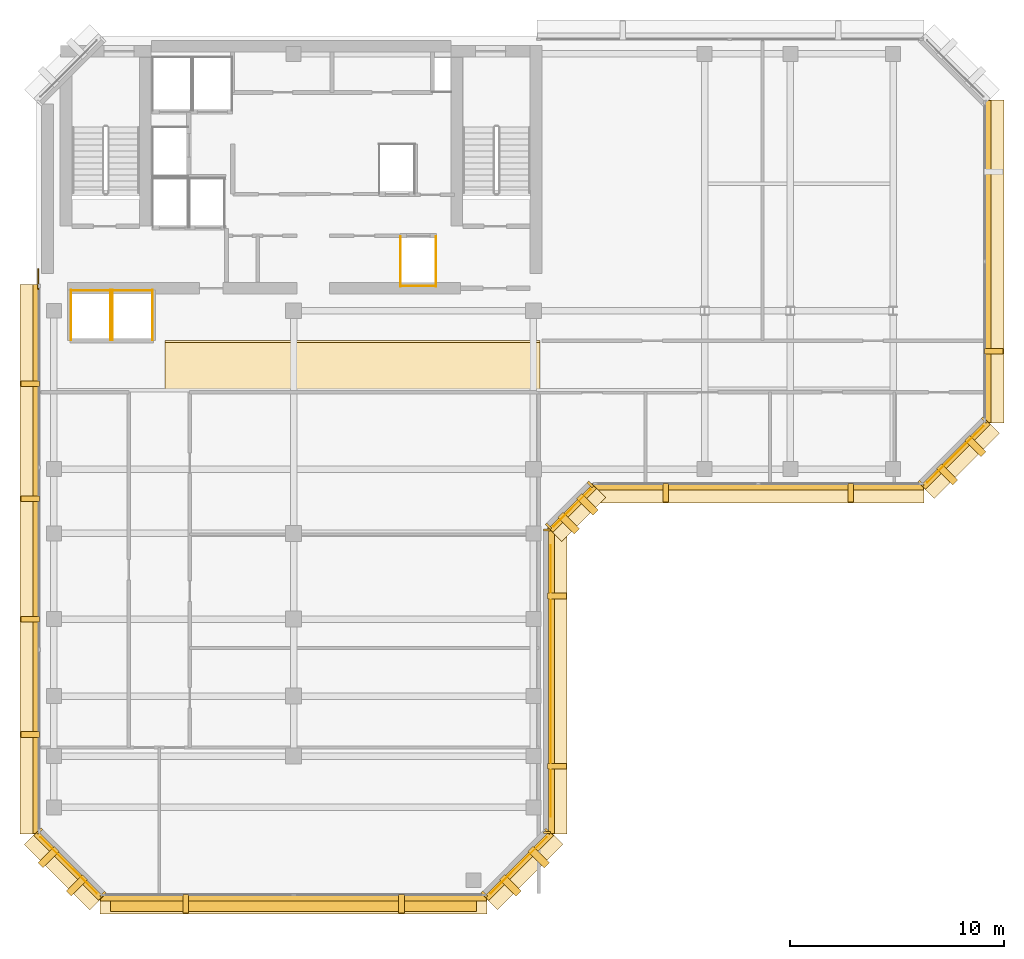
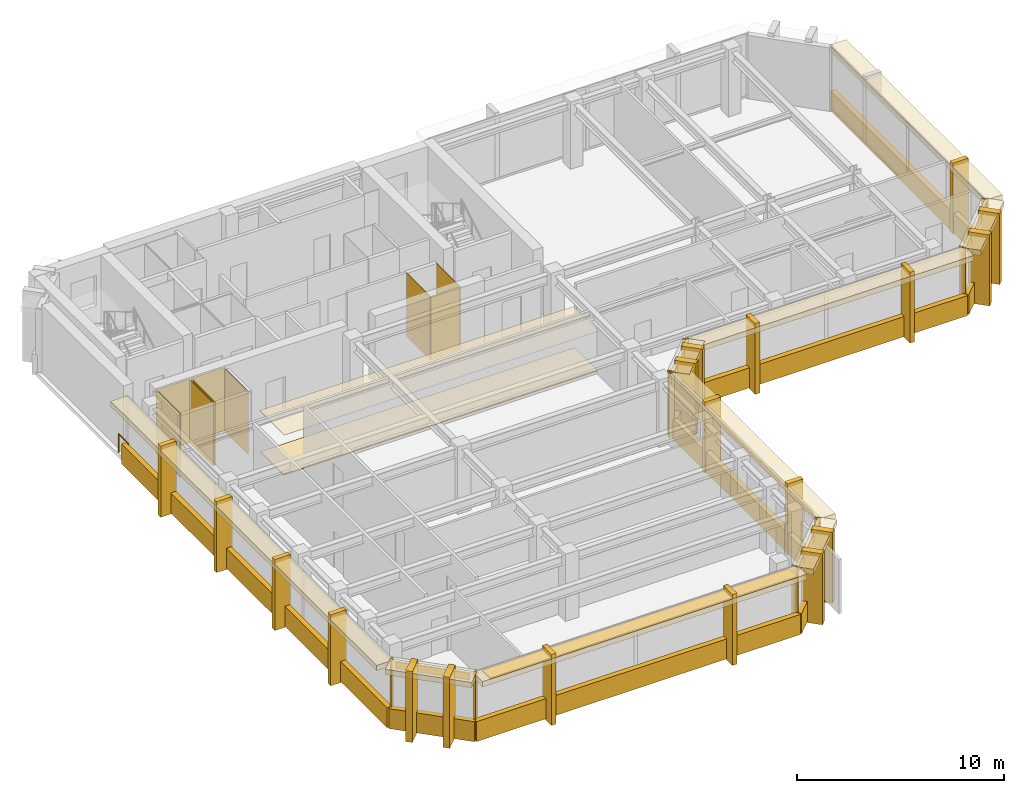
# One storey, part 9 of 11: 63 coverings, 1 railing, 1 shading device.
"""IFC4 building model written with IfcOpenShell, lengths in metres."""

import ifcopenshell
import ifcopenshell.guid

model = None  # the IFC model being written
_history = None  # IfcOwnerHistory: only IFC2X3 demands one
_inside = {}  # id of a spatial element -> (the spatial element, [elements in it])
_under = {}  # id of a project, library or spatial element -> (it, [spatial elements below it])
_declared = {}  # id of a project -> (the project, [libraries it declares])
_typed = {}  # id of a type object -> (the type object, [elements of that type])
_made_of = {}  # id of a material, layer set ... -> (it, [elements and type objects made of it])


def new_model(schema):
    """Start an empty IFC model of exactly this schema.

    Asked for "IFC4X3", IfcOpenShell would pick the latest addendum, in which some entities
    have other attributes; the version numbers below select the first issue.
    IFC2X3 requires an IfcOwnerHistory on every rooted entity: one is made here for all.
    """
    global model, _history
    if schema == "IFC4X3":
        model = ifcopenshell.file(schema_version=(4, 3, 0, 0))
    else:
        model = ifcopenshell.file(schema=schema)
    _inside.clear()
    _under.clear()
    _declared.clear()
    _typed.clear()
    _made_of.clear()
    _history = None
    if model.schema == "IFC2X3":
        org = make("IfcOrganization", Name="unknown")
        user = make(
            "IfcPersonAndOrganization",
            ThePerson=make("IfcPerson", FamilyName="unknown"),
            TheOrganization=org,
        )
        app = make(
            "IfcApplication",
            ApplicationDeveloper=org,
            Version="unknown",
            ApplicationFullName="unknown",
            ApplicationIdentifier="unknown",
        )
        _history = make(
            "IfcOwnerHistory",
            OwningUser=user,
            OwningApplication=app,
            ChangeAction="ADDED",
            CreationDate=0,
        )
    return model


def make(cls, **values):
    """One entity of the class cls with the attributes given. An attribute that is None is left unset."""
    return model.create_entity(
        cls, **{name: value for name, value in values.items() if value is not None}
    )


def rooted(cls, **values):
    """An entity with a GlobalId (a new one), such as an element, a storey or a relation."""
    return make(cls, GlobalId=ifcopenshell.guid.new(), OwnerHistory=_history, **values)


def si_unit(unit_type, name, prefix=None):
    """IfcSIUnit, for example si_unit("LENGTHUNIT", "METRE", prefix="MILLI")."""
    return make("IfcSIUnit", UnitType=unit_type, Prefix=prefix, Name=name)


def assignment(units):
    """IfcUnitAssignment: the units of a project."""
    return None if units is None else make("IfcUnitAssignment", Units=units)


def point(xyz):
    """IfcCartesianPoint."""
    return None if xyz is None else make("IfcCartesianPoint", Coordinates=xyz)


def direction(xyz):
    """IfcDirection."""
    return None if xyz is None else make("IfcDirection", DirectionRatios=xyz)


def frame(location, z_axis=None, x_axis=None):
    """IfcAxis2Placement3D, a coordinate frame: its origin and axes. An axis left out is left unset."""
    return make(
        "IfcAxis2Placement3D",
        Location=point(location),
        Axis=direction(z_axis),
        RefDirection=direction(x_axis),
    )


def frame_2d(location, x_axis=None):
    """IfcAxis2Placement2D, a coordinate frame in the plane: its origin and x axis."""
    return make(
        "IfcAxis2Placement2D", Location=point(location), RefDirection=direction(x_axis)
    )


def origin():
    """The frame at (0, 0, 0) with its axes left unset."""
    return frame((0.0, 0.0, 0.0))


def origin_2d():
    """The frame at (0, 0) in the plane with its x axis left unset."""
    return frame_2d((0.0, 0.0))


def place(relative_to, where):
    """IfcLocalPlacement: puts the frame where relative to a parent placement (None: the world)."""
    return make(
        "IfcLocalPlacement", PlacementRelTo=relative_to, RelativePlacement=where
    )


def context(
    kind, dimensions, precision=None, world=None, true_north=None, identifier=None
):
    """IfcGeometricRepresentationContext, for example the 3D "Model" context."""
    return make(
        "IfcGeometricRepresentationContext",
        ContextIdentifier=identifier,
        ContextType=kind,
        CoordinateSpaceDimension=dimensions,
        Precision=precision,
        WorldCoordinateSystem=world,
        TrueNorth=true_north,
    )


def subcontext(parent, identifier, kind, view, scale=None):
    """IfcGeometricRepresentationSubContext, for example "Body" below "Model"."""
    return make(
        "IfcGeometricRepresentationSubContext",
        ContextIdentifier=identifier,
        ContextType=kind,
        ParentContext=parent,
        TargetScale=scale,
        TargetView=view,
    )


def project(units=None, contexts=None):
    """IfcProject with its units and contexts."""
    return rooted(
        "IfcProject",
        Name="project",
        RepresentationContexts=contexts,
        UnitsInContext=assignment(units),
    )


def spatial(cls, under=None, at=None, **own):
    """A site, building, storey or space (cls), placed at a placement, below another one or the project."""
    s = rooted(cls, ObjectPlacement=at, **own)
    if under is not None:
        _under.setdefault(under.id(), (under, []))[1].append(s)
    return s


def polyline(points):
    """IfcPolyline through the points."""
    return make("IfcPolyline", Points=[point(p) for p in points])


def profile(cls, at=None, kind="AREA", **sizes):
    """A parametric profile (cls). Its sizes go by their IFC names, for example OverallWidth=200.0."""
    return make(cls, ProfileType=kind, Position=at, **sizes)


def rectangle(**sizes):
    """IfcRectangleProfileDef."""
    return profile("IfcRectangleProfileDef", **sizes)


def circle(**sizes):
    """IfcCircleProfileDef."""
    return profile("IfcCircleProfileDef", **sizes)


def outline(outer, holes=None, kind="AREA"):
    """IfcArbitraryClosedProfileDef: a profile drawn as a closed curve; with holes, ...WithVoids."""
    if holes is None:
        return make("IfcArbitraryClosedProfileDef", ProfileType=kind, OuterCurve=outer)
    return make(
        "IfcArbitraryProfileDefWithVoids",
        ProfileType=kind,
        OuterCurve=outer,
        InnerCurves=holes,
    )


def extrude(swept, where, along, depth):
    """IfcExtrudedAreaSolid: the profile swept, set in the frame where, extruded along a direction by depth."""
    return make(
        "IfcExtrudedAreaSolid",
        SweptArea=swept,
        Position=where,
        ExtrudedDirection=direction(along),
        Depth=depth,
    )


def shape(context_of_items, identifier, shape_type, items):
    """IfcShapeRepresentation: the items that make up one representation, for example the "Body"."""
    return make(
        "IfcShapeRepresentation",
        ContextOfItems=context_of_items,
        RepresentationIdentifier=identifier,
        RepresentationType=shape_type,
        Items=items,
    )


def material(Name=None, Category=None):
    """IfcMaterial."""
    return make("IfcMaterial", Name=Name, Category=Category)


def layer(
    of_material, thickness, ventilated=None, Name=None, Category=None, Priority=None
):
    """IfcMaterialLayer: one layer of a wall or slab, of a material (None: an air gap)."""
    return make(
        "IfcMaterialLayer",
        Material=of_material,
        LayerThickness=thickness,
        IsVentilated=ventilated,
        Name=Name,
        Category=Category,
        Priority=Priority,
    )


def layer_set(layers, Name=None):
    """IfcMaterialLayerSet."""
    return make("IfcMaterialLayerSet", MaterialLayers=layers, LayerSetName=Name)


def made_of(thing, what):
    """Note that an element or type object is made of a material, layer set ...; save() writes the relation."""
    if what is not None:
        _made_of.setdefault(what.id(), (what, []))[1].append(thing)
    return thing


def type_object(cls, material=None, **own):
    """A type object (cls), such as IfcWallType, which elements share."""
    return made_of(rooted(cls, **own), material)


def element(
    cls,
    number,
    at=None,
    inside=None,
    cuts=None,
    type_object=None,
    material=None,
    context=None,
    identifier="Body",
    shape_type=None,
    held_by="IfcProductDefinitionShape",
    body=None,
    shapes=None,
    **own,
):
    """One element of the class cls, such as IfcWall. Its Tag is "e" and its number.

    at: its placement. inside: the storey or other place that contains it. cuts: it is an
    opening in that element (IfcRelVoidsElement). A single representation is given by context,
    identifier, shape_type and body (its items); several are given by shapes. held_by: the class
    of the entity that holds the representations. save() writes the other relations.
    """
    e = rooted(cls, Tag="e%d" % number, ObjectPlacement=at, **own)
    if body is not None:
        shapes = [shape(context, identifier, shape_type, body)]
    if shapes is not None:
        e.Representation = make(held_by, Representations=shapes)
    if inside is not None:
        _inside.setdefault(inside.id(), (inside, []))[1].append(e)
    if cuts is not None:
        rooted(
            "IfcRelVoidsElement", RelatingBuildingElement=cuts, RelatedOpeningElement=e
        )
    if type_object is not None:
        _typed.setdefault(type_object.id(), (type_object, []))[1].append(e)
    return made_of(e, material)


def aggregate(whole, parts):
    """IfcRelAggregates: a whole, such as a stair, and the parts it consists of."""
    return rooted("IfcRelAggregates", RelatingObject=whole, RelatedObjects=parts)


def save(model, path):
    """Write the relations noted so far, then the file.

    IfcRelAggregates (storeys below a building ...), IfcRelContainedInSpatialStructure (elements
    in a storey), IfcRelDefinesByType, IfcRelAssociatesMaterial and IfcRelDeclares: one each for
    every whole, place, type object, material and project.
    """
    for whole, parts in _under.values():
        aggregate(whole, parts)
    for where, things in _inside.values():
        rooted(
            "IfcRelContainedInSpatialStructure",
            RelatedElements=things,
            RelatingStructure=where,
        )
    for kind, things in _typed.values():
        rooted("IfcRelDefinesByType", RelatedObjects=things, RelatingType=kind)
    for what, things in _made_of.values():
        rooted("IfcRelAssociatesMaterial", RelatedObjects=things, RelatingMaterial=what)
    for by, libraries in _declared.values():
        rooted("IfcRelDeclares", RelatingContext=by, RelatedDefinitions=libraries)
    model.write(path)


model = new_model("IFC4")

# Units and contexts
model_context = context("Model", 3, precision=1e-05, world=origin(), true_north=direction((0.0, 1.0)))
body_context = subcontext(model_context, "Body", "Model", "MODEL_VIEW")
ifc_project = project(units=[si_unit("LENGTHUNIT", "METRE"), si_unit("AREAUNIT", "SQUARE_METRE"), si_unit("VOLUMEUNIT", "CUBIC_METRE"), si_unit("PLANEANGLEUNIT", "RADIAN"), si_unit("MASSUNIT", "GRAM", prefix="KILO")], contexts=[model_context])

# Site, building, storey
site_placement = place(None, origin())
site = spatial("IfcSite", under=ifc_project, at=site_placement, CompositionType="ELEMENT")
building_placement = place(site_placement, origin())
building = spatial("IfcBuilding", under=site, at=building_placement, Name="Kefirva Bronze Tower", CompositionType="ELEMENT")
storey_placement = place(building_placement, frame((0.0, 0.0, 284.1298828125)))
storey = spatial("IfcBuildingStorey", under=building, at=storey_placement, Name="L69", CompositionType="ELEMENT", Elevation=284.1298828125)

# Coverings
ifc_material_1 = material(Name="Acoustic mineral tile")
ifc_layer_1 = layer(ifc_material_1, 0.02490234375, Name="Acoustic mineral tile")
ifc_layer_set_1 = layer_set([ifc_layer_1], Name="Acoustic mineral tile")
covering_type_1 = type_object("IfcCoveringType", Name="Acoustic Mineral Suspended Ceiling 25mm", PredefinedType="CEILING", material=ifc_layer_set_1)
covering_1_placement = place(storey_placement, frame((0.0, 0.0, 2.400146484375)))
element("IfcCovering", 1, at=covering_1_placement, inside=storey, type_object=covering_type_1, Name="L69 Corridor Acoustic Ceiling", PredefinedType="CEILING", context=body_context, shape_type="SweptSolid", body=[
    extrude(outline(polyline([(6.0, 29.39990234375), (23.5, 29.39990234375), (23.5, 31.800048828125), (6.0, 31.800048828125), (6.0, 29.39990234375)])), origin(), (0.0, 0.0, 1.0), 0.02490234375),
])
ifc_material_2 = material(Name="Bronze anodised aluminium", Category="aluminium")
ifc_layer_2 = layer(ifc_material_2, 0.02001953125, Name="Bronze anodised aluminium")
ifc_layer_set_2 = layer_set([ifc_layer_2], Name="Bronze anodised aluminium")
covering_type_2 = type_object("IfcCoveringType", Name="Anodised Bronze Spandrel Cladding 20mm", PredefinedType="CLADDING", material=ifc_layer_set_2)
covering_2_placement = place(storey_placement, frame((12.0, 5.760009765625, -0.15966796875), z_axis=(0.0, 0.0, 1.0), x_axis=(1.0, 0.0, 0.0)))
element("IfcCovering", 2, at=covering_2_placement, inside=storey, type_object=covering_type_2, Name="L69 Streamline Horizontal Spandrel Band 0", PredefinedType="CLADDING", context=body_context, shape_type="SweptSolid", body=[
    extrude(rectangle(XDim=18.0400390625, YDim=0.280029296875, at=origin_2d()), origin(), (0.0, 0.0, 1.0), 1.179931640625),
])
covering_3_placement = place(storey_placement, frame((22.507080078125, 7.29296875, 3.320068359375), z_axis=(0.0, 0.0, 1.0), x_axis=(0.707106781187, 0.707106781187, 0.0)))
element("IfcCovering", 3, at=covering_3_placement, inside=storey, type_object=covering_type_2, Name="L69 Bronze Spandrel Cladding 1", PredefinedType="CLADDING", context=body_context, shape_type="SweptSolid", body=[
    extrude(rectangle(XDim=3.719482421875, YDim=0.02001953125, at=origin_2d()), origin(), (0.0, 0.0, 1.0), 0.39990234375),
])
for number, where, z_axis, x_axis, name in (
    (4, (20.91162109375, 5.93798828125, 0.0), (0.0, 0.0, 1.0), (0.707106781187, 0.707106781187, 0.0), "L69 Facade Joint Closure Panel 1S"),
    (5, (23.862060546875, 8.88818359375, 0.0), (0.0, 0.0, 1.0), (0.707106781187, 0.707106781187, 0.0), "L69 Facade Joint Closure Panel 1E"),
):
    element("IfcCovering", number, at=place(storey_placement, frame(where, z_axis=z_axis, x_axis=x_axis)), inside=storey, type_object=covering_type_2, Name=name, PredefinedType="CLADDING", context=body_context, shape_type="SweptSolid", body=[
        extrude(rectangle(XDim=0.10009765625, YDim=0.320068359375, at=origin_2d()), origin(), (0.0, 0.0, 1.0), 3.739990234375),
    ])
covering_4_placement = place(storey_placement, frame((22.5283203125, 7.271728515625, -0.15966796875), z_axis=(0.0, 0.0, 1.0), x_axis=(0.707106781187, 0.707106781187, 0.0)))
element("IfcCovering", 6, at=covering_4_placement, inside=storey, type_object=covering_type_2, Name="L69 Streamline Horizontal Spandrel Band 1", PredefinedType="CLADDING", context=body_context, shape_type="SweptSolid", body=[
    extrude(rectangle(XDim=4.28271484375, YDim=0.280029296875, at=origin_2d()), origin(), (0.0, 0.0, 1.0), 1.179931640625),
])
covering_5_placement = place(storey_placement, frame((24.010009765625, 15.89990234375, 3.320068359375), z_axis=(0.0, 0.0, 1.0), x_axis=(0.0, 1.0, 0.0)))
element("IfcCovering", 7, at=covering_5_placement, inside=storey, type_object=covering_type_2, Name="L69 Bronze Spandrel Cladding 2", PredefinedType="CLADDING", context=body_context, shape_type="SweptSolid", body=[
    extrude(rectangle(XDim=12.680908203125, YDim=0.02001953125, at=origin_2d()), origin(), (0.0, 0.0, 1.0), 0.39990234375),
])
for number, where, z_axis, x_axis, name in (
    (8, (23.840087890625, 8.8349609375, 0.0), (0.0, 0.0, 1.0), (0.0, 1.0, 0.0), "L69 Facade Joint Closure Panel 2S"),
    (9, (23.840087890625, 22.965087890625, 0.0), (0.0, 0.0, 1.0), (0.0, 1.0, 0.0), "L69 Facade Joint Closure Panel 2E"),
):
    element("IfcCovering", number, at=place(storey_placement, frame(where, z_axis=z_axis, x_axis=x_axis)), inside=storey, type_object=covering_type_2, Name=name, PredefinedType="CLADDING", context=body_context, shape_type="SweptSolid", body=[
        extrude(rectangle(XDim=0.10009765625, YDim=0.320068359375, at=origin_2d()), origin(), (0.0, 0.0, 1.0), 3.739990234375),
    ])
covering_6_placement = place(storey_placement, frame((24.0400390625, 15.89990234375, -0.15966796875), z_axis=(0.0, 0.0, 1.0), x_axis=(0.0, 1.0, 0.0)))
element("IfcCovering", 10, at=covering_6_placement, inside=storey, type_object=covering_type_2, Name="L69 Streamline Horizontal Spandrel Band 2", PredefinedType="CLADDING", context=body_context, shape_type="SweptSolid", body=[
    extrude(rectangle(XDim=14.239990234375, YDim=0.280029296875, at=origin_2d()), origin(), (0.0, 0.0, 1.0), 1.179931640625),
])
covering_7_placement = place(storey_placement, frame((25.007080078125, 23.992919921875, 3.320068359375), z_axis=(0.0, 0.0, 1.0), x_axis=(0.707106781187, 0.707106781187, 0.0)))
element("IfcCovering", 11, at=covering_7_placement, inside=storey, type_object=covering_type_2, Name="L69 Bronze Spandrel Cladding 3", PredefinedType="CLADDING", context=body_context, shape_type="SweptSolid", body=[
    extrude(rectangle(XDim=2.446533203125, YDim=0.02001953125, at=origin_2d()), origin(), (0.0, 0.0, 1.0), 0.39990234375),
])
for number, where, z_axis, x_axis, name in (
    (12, (23.91162109375, 23.137939453125, 0.0), (0.0, 0.0, 1.0), (0.707106781187, 0.707106781187, 0.0), "L69 Facade Joint Closure Panel 3S"),
    (13, (25.862060546875, 25.08837890625, 0.0), (0.0, 0.0, 1.0), (0.707106781187, 0.707106781187, 0.0), "L69 Facade Joint Closure Panel 3E"),
):
    element("IfcCovering", number, at=place(storey_placement, frame(where, z_axis=z_axis, x_axis=x_axis)), inside=storey, type_object=covering_type_2, Name=name, PredefinedType="CLADDING", context=body_context, shape_type="SweptSolid", body=[
        extrude(rectangle(XDim=0.10009765625, YDim=0.320068359375, at=origin_2d()), origin(), (0.0, 0.0, 1.0), 3.739990234375),
    ])
covering_8_placement = place(storey_placement, frame((25.0283203125, 23.9716796875, -0.15966796875), z_axis=(0.0, 0.0, 1.0), x_axis=(0.707106781187, 0.707106781187, 0.0)))
element("IfcCovering", 14, at=covering_8_placement, inside=storey, type_object=covering_type_2, Name="L69 Streamline Horizontal Spandrel Band 3", PredefinedType="CLADDING", context=body_context, shape_type="SweptSolid", body=[
    extrude(rectangle(XDim=2.868408203125, YDim=0.280029296875, at=origin_2d()), origin(), (0.0, 0.0, 1.0), 1.179931640625),
])
covering_9_placement = place(storey_placement, frame((33.699951171875, 24.9599609375, -0.15966796875), z_axis=(0.0, 0.0, 1.0), x_axis=(1.0, 0.0, 0.0)))
element("IfcCovering", 15, at=covering_9_placement, inside=storey, type_object=covering_type_2, Name="L69 Streamline Horizontal Spandrel Band 4", PredefinedType="CLADDING", context=body_context, shape_type="SweptSolid", body=[
    extrude(rectangle(XDim=15.43994140625, YDim=0.280029296875, at=origin_2d()), origin(), (0.0, 0.0, 1.0), 1.179931640625),
])
covering_10_placement = place(storey_placement, frame((42.906982421875, 26.492919921875, 3.320068359375), z_axis=(0.0, 0.0, 1.0), x_axis=(0.707106781187, 0.707106781187, 0.0)))
element("IfcCovering", 16, at=covering_10_placement, inside=storey, type_object=covering_type_2, Name="L69 Bronze Spandrel Cladding 4", PredefinedType="CLADDING", context=body_context, shape_type="SweptSolid", body=[
    extrude(rectangle(XDim=3.719482421875, YDim=0.02001953125, at=origin_2d()), origin(), (0.0, 0.0, 1.0), 0.39990234375),
])
for number, where, z_axis, x_axis, name in (
    (17, (41.311767578125, 25.137939453125, 0.0), (0.0, 0.0, 1.0), (0.707106781187, 0.707106781187, 0.0), "L69 Facade Joint Closure Panel 4S"),
    (18, (44.26220703125, 28.08837890625, 0.0), (0.0, 0.0, 1.0), (0.707106781187, 0.707106781187, 0.0), "L69 Facade Joint Closure Panel 4E"),
):
    element("IfcCovering", number, at=place(storey_placement, frame(where, z_axis=z_axis, x_axis=x_axis)), inside=storey, type_object=covering_type_2, Name=name, PredefinedType="CLADDING", context=body_context, shape_type="SweptSolid", body=[
        extrude(rectangle(XDim=0.10009765625, YDim=0.320068359375, at=origin_2d()), origin(), (0.0, 0.0, 1.0), 3.739990234375),
    ])
covering_11_placement = place(storey_placement, frame((42.92822265625, 26.4716796875, -0.15966796875), z_axis=(0.0, 0.0, 1.0), x_axis=(0.707106781187, 0.707106781187, 0.0)))
element("IfcCovering", 19, at=covering_11_placement, inside=storey, type_object=covering_type_2, Name="L69 Streamline Horizontal Spandrel Band 5", PredefinedType="CLADDING", context=body_context, shape_type="SweptSolid", body=[
    extrude(rectangle(XDim=4.28271484375, YDim=0.280029296875, at=origin_2d()), origin(), (0.0, 0.0, 1.0), 1.179931640625),
])
covering_12_placement = place(storey_placement, frame((44.43994140625, 35.5, -0.15966796875), z_axis=(0.0, 0.0, 1.0), x_axis=(0.0, 1.0, 0.0)))
element("IfcCovering", 20, at=covering_12_placement, inside=storey, type_object=covering_type_2, Name="L69 Streamline Horizontal Spandrel Band 6", PredefinedType="CLADDING", context=body_context, shape_type="SweptSolid", body=[
    extrude(rectangle(XDim=15.0400390625, YDim=0.280029296875, at=origin_2d()), origin(), (0.0, 0.0, 1.0), 1.179931640625),
])
covering_13_placement = place(storey_placement, frame((-0.0400390625, 21.597412109375, -0.15966796875), z_axis=(0.0, 0.0, 1.0), x_axis=(0.0, -1.0, 0.0)))
element("IfcCovering", 21, at=covering_13_placement, inside=storey, type_object=covering_type_2, Name="L69 Streamline Horizontal Spandrel Band 10", PredefinedType="CLADDING", context=body_context, shape_type="SweptSolid", body=[
    extrude(rectangle(XDim=25.635009765625, YDim=0.280029296875, at=origin_2d()), origin(), (0.0, 0.0, 1.0), 1.179931640625),
])
covering_14_placement = place(storey_placement, frame((1.492919921875, 7.29296875, 3.320068359375), z_axis=(0.0, 0.0, 1.0), x_axis=(0.707106781187, -0.707106781187, 0.0)))
element("IfcCovering", 22, at=covering_14_placement, inside=storey, type_object=covering_type_2, Name="L69 Bronze Spandrel Cladding 7", PredefinedType="CLADDING", context=body_context, shape_type="SweptSolid", body=[
    extrude(rectangle(XDim=3.719482421875, YDim=0.02001953125, at=origin_2d()), origin(), (0.0, 0.0, 1.0), 0.39990234375),
])
for number, where, z_axis, x_axis, name in (
    (23, (0.137939453125, 8.88818359375, 0.0), (0.0, 0.0, 1.0), (0.707106781187, -0.707106781187, 0.0), "L69 Facade Joint Closure Panel 7S"),
    (24, (3.08837890625, 5.93798828125, 0.0), (0.0, 0.0, 1.0), (0.707106781187, -0.707106781187, 0.0), "L69 Facade Joint Closure Panel 7E"),
):
    element("IfcCovering", number, at=place(storey_placement, frame(where, z_axis=z_axis, x_axis=x_axis)), inside=storey, type_object=covering_type_2, Name=name, PredefinedType="CLADDING", context=body_context, shape_type="SweptSolid", body=[
        extrude(rectangle(XDim=0.10009765625, YDim=0.320068359375, at=origin_2d()), origin(), (0.0, 0.0, 1.0), 3.739990234375),
    ])
covering_15_placement = place(storey_placement, frame((1.4716796875, 7.271728515625, -0.15966796875), z_axis=(0.0, 0.0, 1.0), x_axis=(0.707106781187, -0.707106781187, 0.0)))
element("IfcCovering", 25, at=covering_15_placement, inside=storey, type_object=covering_type_2, Name="L69 Streamline Horizontal Spandrel Band 11", PredefinedType="CLADDING", context=body_context, shape_type="SweptSolid", body=[
    extrude(rectangle(XDim=4.28271484375, YDim=0.280029296875, at=origin_2d()), origin(), (0.0, 0.0, 1.0), 1.179931640625),
])
covering_16_placement = place(storey_placement, origin())
element("IfcCovering", 26, at=covering_16_placement, inside=storey, type_object=covering_type_2, Name="L69 Lift OB1 Hoistway Liner N", PredefinedType="CLADDING", context=body_context, shape_type="SweptSolid", body=[
    extrude(outline(polyline([(1.580078125, 34.139892578125), (3.469970703125, 34.139892578125), (3.469970703125, 34.159912109375), (1.580078125, 34.159912109375), (1.580078125, 34.139892578125)])), origin(), (0.0, 0.0, 1.0), 3.740234375),
])
covering_17_placement = place(storey_placement, origin())
element("IfcCovering", 27, at=covering_17_placement, inside=storey, type_object=covering_type_2, Name="L69 Lift OB1 Hoistway Liner W", PredefinedType="CLADDING", context=body_context, shape_type="SweptSolid", body=[
    extrude(outline(polyline([(1.590087890625, 31.830078125), (1.610107421875, 31.830078125), (1.610107421875, 34.169921875), (1.590087890625, 34.169921875), (1.590087890625, 31.830078125)])), origin(), (0.0, 0.0, 1.0), 3.740234375),
])
covering_18_placement = place(storey_placement, origin())
element("IfcCovering", 28, at=covering_18_placement, inside=storey, type_object=covering_type_2, Name="L69 Lift OB1 Hoistway Liner E", PredefinedType="CLADDING", context=body_context, shape_type="SweptSolid", body=[
    extrude(outline(polyline([(3.43994140625, 31.830078125), (3.4599609375, 31.830078125), (3.4599609375, 34.169921875), (3.43994140625, 34.169921875), (3.43994140625, 31.830078125)])), origin(), (0.0, 0.0, 1.0), 3.740234375),
])
covering_19_placement = place(storey_placement, origin())
element("IfcCovering", 29, at=covering_19_placement, inside=storey, type_object=covering_type_2, Name="L69 Lift OB2 Hoistway Liner N", PredefinedType="CLADDING", context=body_context, shape_type="SweptSolid", body=[
    extrude(outline(polyline([(3.530029296875, 34.139892578125), (5.419921875, 34.139892578125), (5.419921875, 34.159912109375), (3.530029296875, 34.159912109375), (3.530029296875, 34.139892578125)])), origin(), (0.0, 0.0, 1.0), 3.740234375),
])
covering_20_placement = place(storey_placement, origin())
element("IfcCovering", 30, at=covering_20_placement, inside=storey, type_object=covering_type_2, Name="L69 Lift OB2 Hoistway Liner W", PredefinedType="CLADDING", context=body_context, shape_type="SweptSolid", body=[
    extrude(outline(polyline([(3.5400390625, 31.830078125), (3.56005859375, 31.830078125), (3.56005859375, 34.169921875), (3.5400390625, 34.169921875), (3.5400390625, 31.830078125)])), origin(), (0.0, 0.0, 1.0), 3.740234375),
])
covering_21_placement = place(storey_placement, origin())
element("IfcCovering", 31, at=covering_21_placement, inside=storey, type_object=covering_type_2, Name="L69 Lift OB2 Hoistway Liner E", PredefinedType="CLADDING", context=body_context, shape_type="SweptSolid", body=[
    extrude(outline(polyline([(5.389892578125, 31.830078125), (5.409912109375, 31.830078125), (5.409912109375, 34.169921875), (5.389892578125, 34.169921875), (5.389892578125, 31.830078125)])), origin(), (0.0, 0.0, 1.0), 3.740234375),
])
covering_22_placement = place(storey_placement, origin())
element("IfcCovering", 32, at=covering_22_placement, inside=storey, type_object=covering_type_2, Name="L69 Lift HP1 Hoistway Liner S", PredefinedType="CLADDING", context=body_context, shape_type="SweptSolid", body=[
    extrude(outline(polyline([(16.97998046875, 34.340087890625), (18.669921875, 34.340087890625), (18.669921875, 34.360107421875), (16.97998046875, 34.360107421875), (16.97998046875, 34.340087890625)])), origin(), (0.0, 0.0, 1.0), 3.740234375),
])
covering_23_placement = place(storey_placement, origin())
element("IfcCovering", 33, at=covering_23_placement, inside=storey, type_object=covering_type_2, Name="L69 Lift HP1 Hoistway Liner W", PredefinedType="CLADDING", context=body_context, shape_type="SweptSolid", body=[
    extrude(outline(polyline([(16.989990234375, 34.330078125), (17.010009765625, 34.330078125), (17.010009765625, 36.669921875), (16.989990234375, 36.669921875), (16.989990234375, 34.330078125)])), origin(), (0.0, 0.0, 1.0), 3.740234375),
])
covering_24_placement = place(storey_placement, origin())
element("IfcCovering", 34, at=covering_24_placement, inside=storey, type_object=covering_type_2, Name="L69 Lift HP1 Hoistway Liner E", PredefinedType="CLADDING", context=body_context, shape_type="SweptSolid", body=[
    extrude(outline(polyline([(18.639892578125, 34.330078125), (18.659912109375, 34.330078125), (18.659912109375, 36.669921875), (18.639892578125, 36.669921875), (18.639892578125, 34.330078125)])), origin(), (0.0, 0.0, 1.0), 3.740234375),
])

# Shading device
ifc_layer_3 = layer(ifc_material_2, 0.090087890625, Name="Bronze anodised aluminium")
ifc_layer_set_3 = layer_set([ifc_layer_3], Name="Bronze anodised aluminium")
shading_device_type = type_object("IfcShadingDeviceType", Name="Horizontal Bronze Sunshade Band 750mm", PredefinedType="JALOUSIE", material=ifc_layer_set_3)
shading_device_placement = place(storey_placement, frame((12.0, 5.5048828125, 3.63525390625), z_axis=(0.0, 0.0, 1.0), x_axis=(1.0, 0.0, 0.0)))
element("IfcShadingDevice", 35, at=shading_device_placement, inside=storey, type_object=shading_device_type, Name="L69 Horizontal Bronze Sunshade Band 0", PredefinedType="JALOUSIE", context=body_context, shape_type="SweptSolid", body=[
    extrude(rectangle(XDim=17.090087890625, YDim=0.75, at=origin_2d()), origin(), (0.0, 0.0, 1.0), 0.090087890625),
])

# Railing
ifc_material_3 = material(Name="Stainless steel 316", Category="steel")
railing_type = type_object("IfcRailingType", Name="Interior Stair Guardrail 1100mm", PredefinedType="GUARDRAIL", material=ifc_material_3)
railing_placement = place(storey_placement, frame((0.080078125, 34.199951171875, 0.0)))
element("IfcRailing", 36, at=railing_placement, inside=storey, type_object=railing_type, Name="L69 West Core Junction Guardrail", PredefinedType="GUARDRAIL", context=body_context, shape_type="SweptSolid", body=[
    extrude(circle(Radius=0.02392578125, at=origin_2d()), frame((0.0, 0.0, 1.076171875), z_axis=(0.0, 1.0, 0.0), x_axis=(-1.0, 0.0, 0.0)), (0.0, 0.0, 1.0), 0.949951171875),
    extrude(circle(Radius=0.02099609375, at=origin_2d()), origin(), (0.0, 0.0, 1.0), 1.052001953125),
    extrude(circle(Radius=0.02099609375, at=origin_2d()), frame((0.0, 0.949951171875, 0.0)), (0.0, 0.0, 1.0), 1.052001953125),
])

# Coverings
ifc_material_4 = material(Name="Calcium sulphate access tile")
ifc_layer_4 = layer(ifc_material_4, 0.044921875, Name="Calcium sulphate access tile")
ifc_layer_set_4 = layer_set([ifc_layer_4], Name="Calcium sulphate access tile")
covering_type_3 = type_object("IfcCoveringType", Name="Raised Access Office Flooring 45mm", PredefinedType="FLOORING", material=ifc_layer_set_4)
covering_25_placement = place(storey_placement, origin())
element("IfcCovering", 37, at=covering_25_placement, inside=storey, type_object=covering_type_3, Name="L69 Architectural Finish Flooring", PredefinedType="FLOORING", context=body_context, shape_type="SweptSolid", body=[
    extrude(outline(polyline([(6.0, 29.47998046875), (23.5, 29.47998046875), (23.5, 31.719970703125), (6.0, 31.719970703125), (6.0, 29.47998046875)])), origin(), (0.0, 0.0, 1.0), 0.045166015625),
])
ifc_layer_5 = layer(ifc_material_2, 0.179931640625, Name="Bronze anodised aluminium")
ifc_layer_set_5 = layer_set([ifc_layer_5], Name="Bronze anodised aluminium")
covering_type_4 = type_object("IfcCoveringType", Name="Streamline Bronze Sunshade Eyebrow Cladding 180mm", PredefinedType="CLADDING", material=ifc_layer_set_5)
covering_26_placement = place(storey_placement, frame((12.0, 5.489990234375, 3.419921875), z_axis=(0.0, 0.0, 1.0), x_axis=(1.0, 0.0, 0.0)))
element("IfcCovering", 38, at=covering_26_placement, inside=storey, type_object=covering_type_4, Name="L69 Streamline Bronze Sunshade Eyebrow 0", PredefinedType="CLADDING", context=body_context, shape_type="SweptSolid", body=[
    extrude(rectangle(XDim=18.080078125, YDim=0.93994140625, at=origin_2d()), origin(), (0.0, 0.0, 1.0), 0.320068359375),
])
covering_27_placement = place(storey_placement, frame((22.71923828125, 7.080810546875, 3.419921875), z_axis=(0.0, 0.0, 1.0), x_axis=(0.707106781187, 0.707106781187, 0.0)))
element("IfcCovering", 39, at=covering_27_placement, inside=storey, type_object=covering_type_4, Name="L69 Streamline Bronze Sunshade Eyebrow 1", PredefinedType="CLADDING", context=body_context, shape_type="SweptSolid", body=[
    extrude(rectangle(XDim=4.322509765625, YDim=0.93994140625, at=origin_2d()), origin(), (0.0, 0.0, 1.0), 0.320068359375),
])
covering_28_placement = place(storey_placement, frame((24.31005859375, 15.89990234375, 3.419921875), z_axis=(0.0, 0.0, 1.0), x_axis=(0.0, 1.0, 0.0)))
element("IfcCovering", 40, at=covering_28_placement, inside=storey, type_object=covering_type_4, Name="L69 Streamline Bronze Sunshade Eyebrow 2", PredefinedType="CLADDING", context=body_context, shape_type="SweptSolid", body=[
    extrude(rectangle(XDim=14.280029296875, YDim=0.93994140625, at=origin_2d()), origin(), (0.0, 0.0, 1.0), 0.320068359375),
])
covering_29_placement = place(storey_placement, frame((25.21923828125, 23.78076171875, 3.419921875), z_axis=(0.0, 0.0, 1.0), x_axis=(0.707106781187, 0.707106781187, 0.0)))
element("IfcCovering", 41, at=covering_29_placement, inside=storey, type_object=covering_type_4, Name="L69 Streamline Bronze Sunshade Eyebrow 3", PredefinedType="CLADDING", context=body_context, shape_type="SweptSolid", body=[
    extrude(rectangle(XDim=2.908447265625, YDim=0.93994140625, at=origin_2d()), origin(), (0.0, 0.0, 1.0), 0.320068359375),
])
covering_30_placement = place(storey_placement, frame((33.699951171875, 24.68994140625, 3.419921875), z_axis=(0.0, 0.0, 1.0), x_axis=(1.0, 0.0, 0.0)))
element("IfcCovering", 42, at=covering_30_placement, inside=storey, type_object=covering_type_4, Name="L69 Streamline Bronze Sunshade Eyebrow 4", PredefinedType="CLADDING", context=body_context, shape_type="SweptSolid", body=[
    extrude(rectangle(XDim=15.47998046875, YDim=0.93994140625, at=origin_2d()), origin(), (0.0, 0.0, 1.0), 0.320068359375),
])
covering_31_placement = place(storey_placement, frame((43.119140625, 26.28076171875, 3.419921875), z_axis=(0.0, 0.0, 1.0), x_axis=(0.707106781187, 0.707106781187, 0.0)))
element("IfcCovering", 43, at=covering_31_placement, inside=storey, type_object=covering_type_4, Name="L69 Streamline Bronze Sunshade Eyebrow 5", PredefinedType="CLADDING", context=body_context, shape_type="SweptSolid", body=[
    extrude(rectangle(XDim=4.322509765625, YDim=0.93994140625, at=origin_2d()), origin(), (0.0, 0.0, 1.0), 0.320068359375),
])
covering_32_placement = place(storey_placement, frame((44.7099609375, 35.5, 3.419921875), z_axis=(0.0, 0.0, 1.0), x_axis=(0.0, 1.0, 0.0)))
element("IfcCovering", 44, at=covering_32_placement, inside=storey, type_object=covering_type_4, Name="L69 Streamline Bronze Sunshade Eyebrow 6", PredefinedType="CLADDING", context=body_context, shape_type="SweptSolid", body=[
    extrude(rectangle(XDim=15.080078125, YDim=0.93994140625, at=origin_2d()), origin(), (0.0, 0.0, 1.0), 0.320068359375),
])
covering_33_placement = place(storey_placement, frame((-0.31005859375, 21.597412109375, 3.419921875), z_axis=(0.0, 0.0, 1.0), x_axis=(0.0, -1.0, 0.0)))
element("IfcCovering", 45, at=covering_33_placement, inside=storey, type_object=covering_type_4, Name="L69 Streamline Bronze Sunshade Eyebrow 10", PredefinedType="CLADDING", context=body_context, shape_type="SweptSolid", body=[
    extrude(rectangle(XDim=25.675048828125, YDim=0.93994140625, at=origin_2d()), origin(), (0.0, 0.0, 1.0), 0.320068359375),
])
covering_34_placement = place(storey_placement, frame((1.28076171875, 7.080810546875, 3.419921875), z_axis=(0.0, 0.0, 1.0), x_axis=(0.707106781187, -0.707106781187, 0.0)))
element("IfcCovering", 46, at=covering_34_placement, inside=storey, type_object=covering_type_4, Name="L69 Streamline Bronze Sunshade Eyebrow 11", PredefinedType="CLADDING", context=body_context, shape_type="SweptSolid", body=[
    extrude(rectangle(XDim=4.322509765625, YDim=0.93994140625, at=origin_2d()), origin(), (0.0, 0.0, 1.0), 0.320068359375),
])
ifc_layer_6 = layer(ifc_material_2, 0.260009765625, Name="Bronze anodised aluminium")
ifc_layer_set_6 = layer_set([ifc_layer_6], Name="Bronze anodised aluminium")
covering_type_5 = type_object("IfcCoveringType", Name="Unbroken Bronze Buttress Fin Cladding 260mm", PredefinedType="CLADDING", material=ifc_layer_set_6)
for number, where, z_axis, x_axis, name in (
    (47, (6.9599609375, 5.5, -0.2197265625), (0.0, 0.0, 1.0), (1.0, 0.0, 0.0), "L69 Unbroken Vertical Bronze Rib Fin 1"),
    (48, (17.0400390625, 5.5, -0.2197265625), (0.0, 0.0, 1.0), (1.0, 0.0, 0.0), "L69 Unbroken Vertical Bronze Rib Fin 2"),
):
    element("IfcCovering", number, at=place(storey_placement, frame(where, z_axis=z_axis, x_axis=x_axis)), inside=storey, type_object=covering_type_5, Name=name, PredefinedType="CLADDING", context=body_context, shape_type="SweptSolid", body=[
        extrude(rectangle(XDim=0.260009765625, YDim=0.8798828125, at=origin_2d()), origin(), (0.0, 0.0, 1.0), 4.179931640625),
    ])
for number, where, z_axis, x_axis, name in (
    (49, (22.122802734375, 6.357177734375, -0.2197265625), (0.0, 0.0, 1.0), (0.707106781187, 0.707106781187, 0.0), "L69 Chamfered Corner Buttress Fin Cladding 3"),
    (50, (23.44287109375, 7.67724609375, -0.2197265625), (0.0, 0.0, 1.0), (0.707106781187, 0.707106781187, 0.0), "L69 Chamfered Corner Buttress Fin Cladding 4"),
):
    element("IfcCovering", number, at=place(storey_placement, frame(where, z_axis=z_axis, x_axis=x_axis)), inside=storey, type_object=covering_type_5, Name=name, PredefinedType="CLADDING", context=body_context, shape_type="SweptSolid", body=[
        extrude(rectangle(XDim=0.340087890625, YDim=1.080078125, at=origin_2d()), origin(), (0.0, 0.0, 1.0), 4.179931640625),
    ])
for number, where, z_axis, x_axis, name in (
    (51, (24.300048828125, 11.924072265625, -0.2197265625), (0.0, 0.0, 1.0), (0.0, 1.0, 0.0), "L69 Unbroken Vertical Bronze Rib Fin 5"),
    (52, (24.300048828125, 19.8759765625, -0.2197265625), (0.0, 0.0, 1.0), (0.0, 1.0, 0.0), "L69 Unbroken Vertical Bronze Rib Fin 6"),
):
    element("IfcCovering", number, at=place(storey_placement, frame(where, z_axis=z_axis, x_axis=x_axis)), inside=storey, type_object=covering_type_5, Name=name, PredefinedType="CLADDING", context=body_context, shape_type="SweptSolid", body=[
        extrude(rectangle(XDim=0.260009765625, YDim=0.8798828125, at=origin_2d()), origin(), (0.0, 0.0, 1.0), 4.179931640625),
    ])
for number, where, z_axis, x_axis, name in (
    (53, (24.8427734375, 23.277099609375, -0.2197265625), (0.0, 0.0, 1.0), (0.707106781187, 0.707106781187, 0.0), "L69 Chamfered Corner Buttress Fin Cladding 7"),
    (54, (25.722900390625, 24.1572265625, -0.2197265625), (0.0, 0.0, 1.0), (0.707106781187, 0.707106781187, 0.0), "L69 Chamfered Corner Buttress Fin Cladding 8"),
):
    element("IfcCovering", number, at=place(storey_placement, frame(where, z_axis=z_axis, x_axis=x_axis)), inside=storey, type_object=covering_type_5, Name=name, PredefinedType="CLADDING", context=body_context, shape_type="SweptSolid", body=[
        extrude(rectangle(XDim=0.340087890625, YDim=1.080078125, at=origin_2d()), origin(), (0.0, 0.0, 1.0), 4.179931640625),
    ])
for number, where, z_axis, x_axis, name in (
    (55, (29.387939453125, 24.699951171875, -0.2197265625), (0.0, 0.0, 1.0), (1.0, 0.0, 0.0), "L69 Unbroken Vertical Bronze Rib Fin 9"),
    (56, (38.011962890625, 24.699951171875, -0.2197265625), (0.0, 0.0, 1.0), (1.0, 0.0, 0.0), "L69 Unbroken Vertical Bronze Rib Fin 10"),
):
    element("IfcCovering", number, at=place(storey_placement, frame(where, z_axis=z_axis, x_axis=x_axis)), inside=storey, type_object=covering_type_5, Name=name, PredefinedType="CLADDING", context=body_context, shape_type="SweptSolid", body=[
        extrude(rectangle(XDim=0.260009765625, YDim=0.8798828125, at=origin_2d()), origin(), (0.0, 0.0, 1.0), 4.179931640625),
    ])
for number, where, z_axis, x_axis, name in (
    (57, (42.522705078125, 25.55712890625, -0.2197265625), (0.0, 0.0, 1.0), (0.707106781187, 0.707106781187, 0.0), "L69 Chamfered Corner Buttress Fin Cladding 11"),
    (58, (43.8427734375, 26.877197265625, -0.2197265625), (0.0, 0.0, 1.0), (0.707106781187, 0.707106781187, 0.0), "L69 Chamfered Corner Buttress Fin Cladding 12"),
):
    element("IfcCovering", number, at=place(storey_placement, frame(where, z_axis=z_axis, x_axis=x_axis)), inside=storey, type_object=covering_type_5, Name=name, PredefinedType="CLADDING", context=body_context, shape_type="SweptSolid", body=[
        extrude(rectangle(XDim=0.340087890625, YDim=1.080078125, at=origin_2d()), origin(), (0.0, 0.0, 1.0), 4.179931640625),
    ])
for number, where, z_axis, x_axis, name in (
    (59, (44.699951171875, 31.300048828125, -0.2197265625), (0.0, 0.0, 1.0), (0.0, 1.0, 0.0), "L69 Unbroken Vertical Bronze Rib Fin 13"),
    (60, (-0.300048828125, 29.787841796875, -0.2197265625), (0.0, 0.0, 1.0), (0.0, -1.0, 0.0), "L69 Unbroken Vertical Bronze Rib Fin 21"),
    (61, (-0.300048828125, 24.4130859375, -0.2197265625), (0.0, 0.0, 1.0), (0.0, -1.0, 0.0), "L69 Unbroken Vertical Bronze Rib Fin 22"),
    (62, (-0.300048828125, 18.781982421875, -0.2197265625), (0.0, 0.0, 1.0), (0.0, -1.0, 0.0), "L69 Unbroken Vertical Bronze Rib Fin 23"),
    (63, (-0.300048828125, 13.406982421875, -0.2197265625), (0.0, 0.0, 1.0), (0.0, -1.0, 0.0), "L69 Unbroken Vertical Bronze Rib Fin 24"),
):
    element("IfcCovering", number, at=place(storey_placement, frame(where, z_axis=z_axis, x_axis=x_axis)), inside=storey, type_object=covering_type_5, Name=name, PredefinedType="CLADDING", context=body_context, shape_type="SweptSolid", body=[
        extrude(rectangle(XDim=0.260009765625, YDim=0.8798828125, at=origin_2d()), origin(), (0.0, 0.0, 1.0), 4.179931640625),
    ])
for number, where, z_axis, x_axis, name in (
    (64, (0.55712890625, 7.67724609375, -0.2197265625), (0.0, 0.0, 1.0), (0.707106781187, -0.707106781187, 0.0), "L69 Chamfered Corner Buttress Fin Cladding 25"),
    (65, (1.877197265625, 6.357177734375, -0.2197265625), (0.0, 0.0, 1.0), (0.707106781187, -0.707106781187, 0.0), "L69 Chamfered Corner Buttress Fin Cladding 26"),
):
    element("IfcCovering", number, at=place(storey_placement, frame(where, z_axis=z_axis, x_axis=x_axis)), inside=storey, type_object=covering_type_5, Name=name, PredefinedType="CLADDING", context=body_context, shape_type="SweptSolid", body=[
        extrude(rectangle(XDim=0.340087890625, YDim=1.080078125, at=origin_2d()), origin(), (0.0, 0.0, 1.0), 4.179931640625),
    ])

save(model, "model.ifc")
